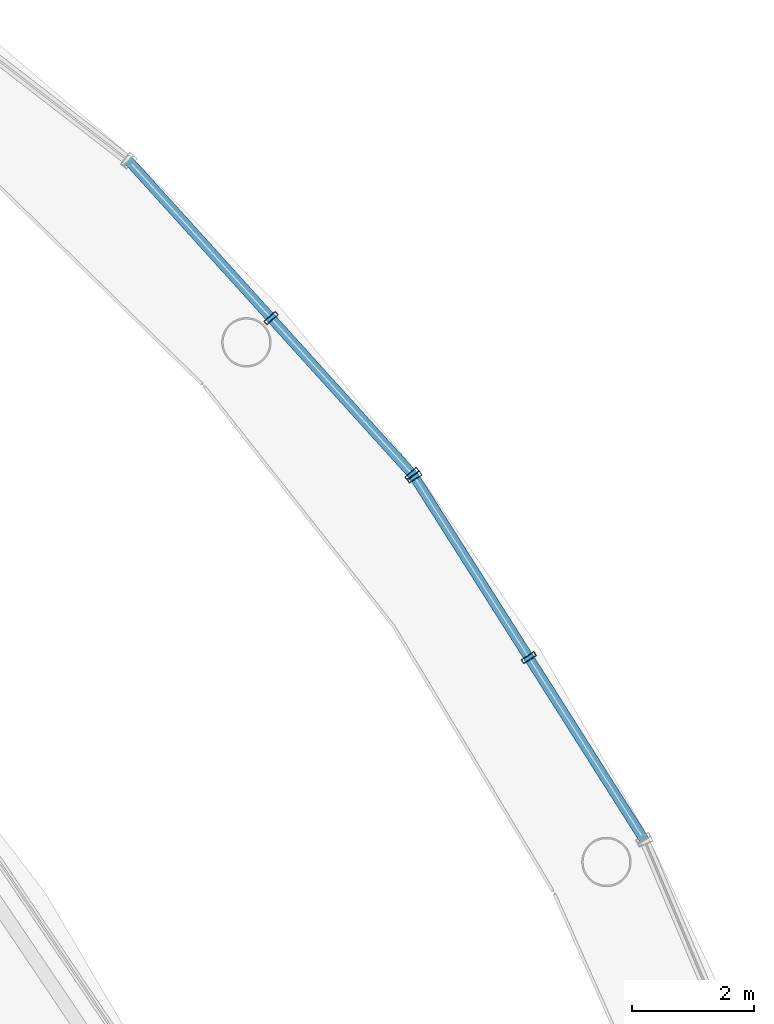
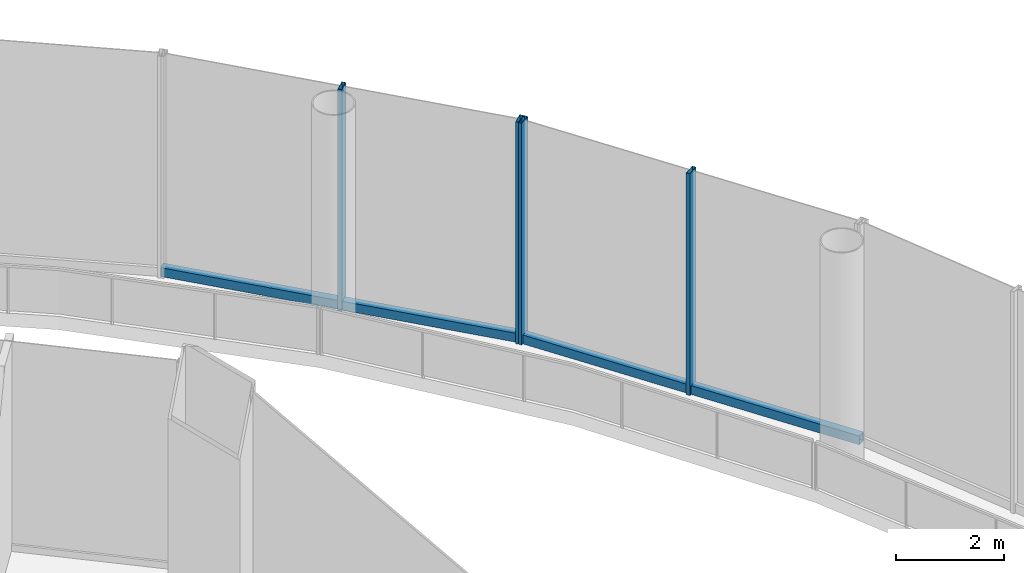
# One storey, part 38 of 48: 6 members, 2 elements without a shape of their own.
"""IFC4 building model written with IfcOpenShell, lengths in metres."""

from ifc_helpers import new_model, si_unit, direction, frame, origin, origin_2d, place, context, subcontext, project, spatial, hollow_rectangle, extrude, material, layer, layer_set, material_profile, profile_set, type_object, element, aggregate, save


model = new_model("IFC4")

# Units and contexts
model_context = context("Model", 3, precision=1e-05, world=origin(), true_north=direction((0.0, 1.0)))
body_context = subcontext(model_context, "Body", "Model", "MODEL_VIEW")
ifc_project = project(units=[si_unit("LENGTHUNIT", "METRE"), si_unit("AREAUNIT", "SQUARE_METRE"), si_unit("VOLUMEUNIT", "CUBIC_METRE"), si_unit("PLANEANGLEUNIT", "RADIAN"), si_unit("MASSUNIT", "GRAM", prefix="KILO")], contexts=[model_context])

# Site, building, storey
site_placement = place(None, origin())
site = spatial("IfcSite", under=ifc_project, at=site_placement, CompositionType="ELEMENT")
building_placement = place(site_placement, origin())
building = spatial("IfcBuilding", under=site, at=building_placement, Name="Nagisa Residences", CompositionType="ELEMENT")
storey_placement = place(building_placement, frame((0.0, 0.0, 12.0)))
storey = spatial("IfcBuildingStorey", under=building, at=storey_placement, Name="L02", CompositionType="ELEMENT", Elevation=12.0)

# Curtain wall, members
ifc_material_1 = material(Name="Stainless steel curtain wall system", Category="steel")
ifc_layer = layer(ifc_material_1, 0.159912109375)
ifc_layer_set = layer_set([ifc_layer], Name="CW3 CURTAIN WALL")
curtain_wall_type = type_object("IfcCurtainWallType", Name="CW3 CURTAIN WALL", PredefinedType="NOTDEFINED", material=ifc_layer_set)
curtain_wall_1_placement = place(storey_placement, origin())
curtain_wall_1 = element("IfcCurtainWall", 1, at=curtain_wall_1_placement, inside=storey, type_object=curtain_wall_type, Name="cw:CW3:L02:03", PredefinedType="NOTDEFINED")
ifc_material_2 = material(Name="Stainless steel", Category="steel")
ifc_material_profile_1 = material_profile(ifc_material_2, hollow_rectangle(XDim=0.25, YDim=0.080078125, WallThickness=0.008056640625, at=origin_2d()), Name="CW3 MULLION 250x80")
ifc_profile_set_1 = profile_set([ifc_material_profile_1], Name="Stainless steel")
member_type_1 = type_object("IfcMemberType", Name="CW3 MULLION 250x80", PredefinedType="MULLION", material=ifc_profile_set_1)
member_1_placement = place(storey_placement, frame((34.541748046875, 23.955810546875, 0.0), z_axis=(0.0, 0.0, 1.0), x_axis=(-0.844747368001, -0.535165286856, 0.0)))
member_1 = element("IfcMember", 2, at=member_1_placement, type_object=member_type_1, Name="CW3 mullion", PredefinedType="MULLION", context=body_context, shape_type="SweptSolid", body=[
    extrude(hollow_rectangle(XDim=0.25, YDim=0.080078125, WallThickness=0.008056640625, at=origin_2d()), origin(), (0.0, 0.0, 1.0), 5.0),
])
member_2_placement = place(storey_placement, frame((32.66357421875, 26.92041015625, 0.0), z_axis=(0.0, 0.0, 1.0), x_axis=(-0.844747368001, -0.535165286856, 0.0)))
member_2 = element("IfcMember", 3, at=member_2_placement, type_object=member_type_1, Name="CW3 mullion", PredefinedType="MULLION", context=body_context, shape_type="SweptSolid", body=[
    extrude(hollow_rectangle(XDim=0.25, YDim=0.080078125, WallThickness=0.008056640625, at=origin_2d()), origin(), (0.0, 0.0, 1.0), 5.0),
])

curtain_wall_2_placement = place(storey_placement, origin())
curtain_wall_2 = element("IfcCurtainWall", 4, at=curtain_wall_2_placement, inside=storey, type_object=curtain_wall_type, Name="cw:CW3:L02:04", PredefinedType="NOTDEFINED")
member_3_placement = place(storey_placement, frame((32.62353515625, 26.97314453125, 0.0), z_axis=(0.0, 0.0, 1.0), x_axis=(-0.741535779122, -0.670913323971, 0.0)))
member_3 = element("IfcMember", 5, at=member_3_placement, type_object=member_type_1, Name="CW3 mullion", PredefinedType="MULLION", context=body_context, shape_type="SweptSolid", body=[
    extrude(hollow_rectangle(XDim=0.25, YDim=0.080078125, WallThickness=0.008056640625, at=origin_2d()), origin(), (0.0, 0.0, 1.0), 5.0),
])
member_4_placement = place(storey_placement, frame((30.30859375, 29.53173828125, 0.0), z_axis=(0.0, 0.0, 1.0), x_axis=(-0.741535779122, -0.670913323971, 0.0)))
member_4 = element("IfcMember", 6, at=member_4_placement, type_object=member_type_1, Name="CW3 mullion", PredefinedType="MULLION", context=body_context, shape_type="SweptSolid", body=[
    extrude(hollow_rectangle(XDim=0.25, YDim=0.080078125, WallThickness=0.008056640625, at=origin_2d()), origin(), (0.0, 0.0, 1.0), 5.0),
])

# Member
ifc_material_3 = material(Name="Stainless steel", Category="steel")
ifc_material_profile_2 = material_profile(ifc_material_3, hollow_rectangle(XDim=0.159912109375, YDim=0.199951171875, WallThickness=0.008056640625, at=origin_2d()), Name="CW3 TRANSOM 160x200")
ifc_profile_set_2 = profile_set([ifc_material_profile_2], Name="Stainless steel")
member_type_2 = type_object("IfcMemberType", Name="CW3 TRANSOM 160x200", PredefinedType="USERDEFINED", material=ifc_profile_set_2)
member_5_placement = place(storey_placement, frame((36.44140625, 20.957275390625, 0.10009765625), z_axis=(-0.535169889444, 0.844744452147, 0.0), x_axis=(-0.844744452147, -0.535169889444, 0.0)))
member_5 = element("IfcMember", 7, at=member_5_placement, type_object=member_type_2, Name="CW3 transom", ObjectType="TRANSOM", PredefinedType="USERDEFINED", context=body_context, shape_type="SweptSolid", body=[
    extrude(hollow_rectangle(XDim=0.159912109375, YDim=0.199951171875, WallThickness=0.008056640625, at=origin_2d()), origin(), (0.0, 0.0, 1.0), 7.099365234375),
])

aggregate(curtain_wall_1, [member_1, member_2, member_5])

member_6_placement = place(storey_placement, frame((32.650390625, 26.943359375, 0.10009765625), z_axis=(-0.670921565259, 0.741528322635, 0.0), x_axis=(-0.741528322635, -0.670921565259, 0.0)))
member_6 = element("IfcMember", 8, at=member_6_placement, type_object=member_type_2, Name="CW3 transom", ObjectType="TRANSOM", PredefinedType="USERDEFINED", context=body_context, shape_type="SweptSolid", body=[
    extrude(hollow_rectangle(XDim=0.159912109375, YDim=0.199951171875, WallThickness=0.008056640625, at=origin_2d()), origin(), (0.0, 0.0, 1.0), 6.981201171875),
])

aggregate(curtain_wall_2, [member_3, member_4, member_6])

save(model, "model.ifc")
